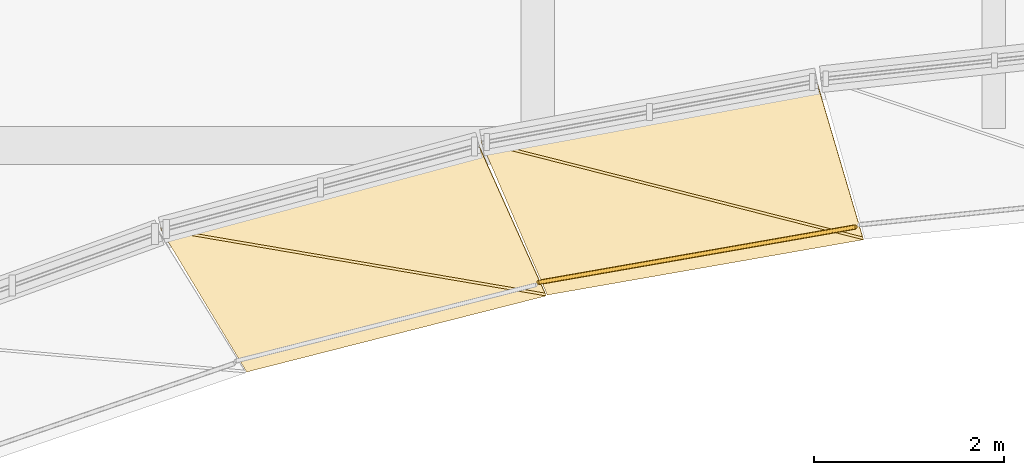
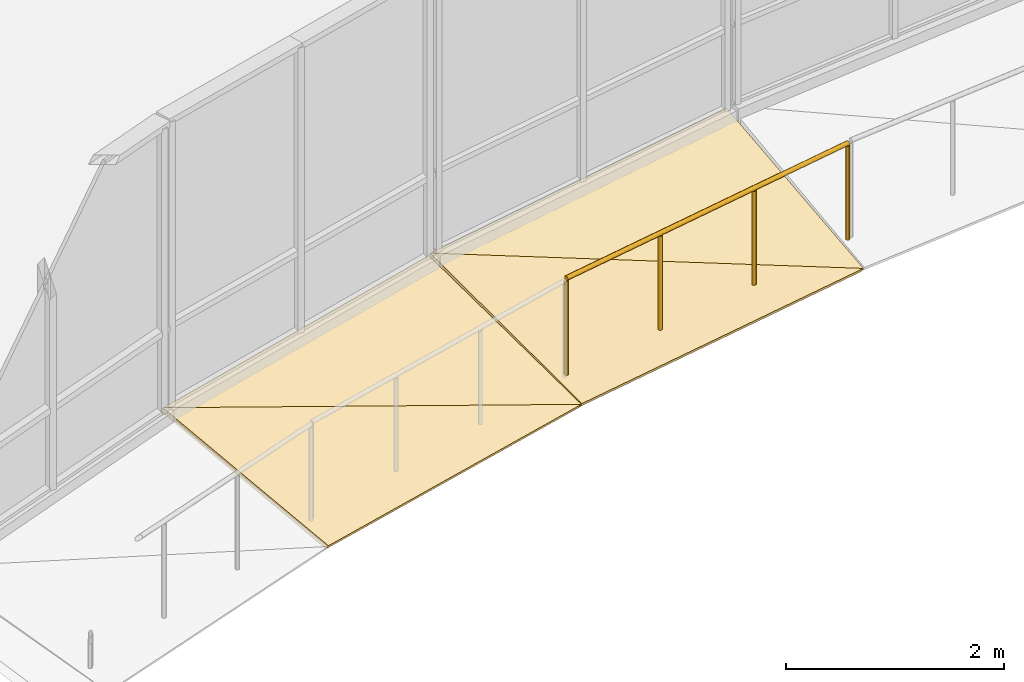
# One storey, part 75 of 84: 4 coverings, 1 railing.
"""IFC4 building model written with IfcOpenShell, lengths in metres."""

import ifcopenshell
import ifcopenshell.guid

model = None  # the IFC model being written
_history = None  # IfcOwnerHistory: only IFC2X3 demands one
_inside = {}  # id of a spatial element -> (the spatial element, [elements in it])
_under = {}  # id of a project, library or spatial element -> (it, [spatial elements below it])
_declared = {}  # id of a project -> (the project, [libraries it declares])
_typed = {}  # id of a type object -> (the type object, [elements of that type])
_made_of = {}  # id of a material, layer set ... -> (it, [elements and type objects made of it])


def new_model(schema):
    """Start an empty IFC model of exactly this schema.

    Asked for "IFC4X3", IfcOpenShell would pick the latest addendum, in which some entities
    have other attributes; the version numbers below select the first issue.
    IFC2X3 requires an IfcOwnerHistory on every rooted entity: one is made here for all.
    """
    global model, _history
    if schema == "IFC4X3":
        model = ifcopenshell.file(schema_version=(4, 3, 0, 0))
    else:
        model = ifcopenshell.file(schema=schema)
    _inside.clear()
    _under.clear()
    _declared.clear()
    _typed.clear()
    _made_of.clear()
    _history = None
    if model.schema == "IFC2X3":
        org = make("IfcOrganization", Name="unknown")
        user = make(
            "IfcPersonAndOrganization",
            ThePerson=make("IfcPerson", FamilyName="unknown"),
            TheOrganization=org,
        )
        app = make(
            "IfcApplication",
            ApplicationDeveloper=org,
            Version="unknown",
            ApplicationFullName="unknown",
            ApplicationIdentifier="unknown",
        )
        _history = make(
            "IfcOwnerHistory",
            OwningUser=user,
            OwningApplication=app,
            ChangeAction="ADDED",
            CreationDate=0,
        )
    return model


def make(cls, **values):
    """One entity of the class cls with the attributes given. An attribute that is None is left unset."""
    return model.create_entity(
        cls, **{name: value for name, value in values.items() if value is not None}
    )


def rooted(cls, **values):
    """An entity with a GlobalId (a new one), such as an element, a storey or a relation."""
    return make(cls, GlobalId=ifcopenshell.guid.new(), OwnerHistory=_history, **values)


def si_unit(unit_type, name, prefix=None):
    """IfcSIUnit, for example si_unit("LENGTHUNIT", "METRE", prefix="MILLI")."""
    return make("IfcSIUnit", UnitType=unit_type, Prefix=prefix, Name=name)


def assignment(units):
    """IfcUnitAssignment: the units of a project."""
    return None if units is None else make("IfcUnitAssignment", Units=units)


def point(xyz):
    """IfcCartesianPoint."""
    return None if xyz is None else make("IfcCartesianPoint", Coordinates=xyz)


def direction(xyz):
    """IfcDirection."""
    return None if xyz is None else make("IfcDirection", DirectionRatios=xyz)


def frame(location, z_axis=None, x_axis=None):
    """IfcAxis2Placement3D, a coordinate frame: its origin and axes. An axis left out is left unset."""
    return make(
        "IfcAxis2Placement3D",
        Location=point(location),
        Axis=direction(z_axis),
        RefDirection=direction(x_axis),
    )


def frame_2d(location, x_axis=None):
    """IfcAxis2Placement2D, a coordinate frame in the plane: its origin and x axis."""
    return make(
        "IfcAxis2Placement2D", Location=point(location), RefDirection=direction(x_axis)
    )


def origin():
    """The frame at (0, 0, 0) with its axes left unset."""
    return frame((0.0, 0.0, 0.0))


def origin_2d():
    """The frame at (0, 0) in the plane with its x axis left unset."""
    return frame_2d((0.0, 0.0))


def place(relative_to, where):
    """IfcLocalPlacement: puts the frame where relative to a parent placement (None: the world)."""
    return make(
        "IfcLocalPlacement", PlacementRelTo=relative_to, RelativePlacement=where
    )


def context(
    kind, dimensions, precision=None, world=None, true_north=None, identifier=None
):
    """IfcGeometricRepresentationContext, for example the 3D "Model" context."""
    return make(
        "IfcGeometricRepresentationContext",
        ContextIdentifier=identifier,
        ContextType=kind,
        CoordinateSpaceDimension=dimensions,
        Precision=precision,
        WorldCoordinateSystem=world,
        TrueNorth=true_north,
    )


def subcontext(parent, identifier, kind, view, scale=None):
    """IfcGeometricRepresentationSubContext, for example "Body" below "Model"."""
    return make(
        "IfcGeometricRepresentationSubContext",
        ContextIdentifier=identifier,
        ContextType=kind,
        ParentContext=parent,
        TargetScale=scale,
        TargetView=view,
    )


def project(units=None, contexts=None):
    """IfcProject with its units and contexts."""
    return rooted(
        "IfcProject",
        Name="project",
        RepresentationContexts=contexts,
        UnitsInContext=assignment(units),
    )


def spatial(cls, under=None, at=None, **own):
    """A site, building, storey or space (cls), placed at a placement, below another one or the project."""
    s = rooted(cls, ObjectPlacement=at, **own)
    if under is not None:
        _under.setdefault(under.id(), (under, []))[1].append(s)
    return s


def polyline(points):
    """IfcPolyline through the points."""
    return make("IfcPolyline", Points=[point(p) for p in points])


def profile(cls, at=None, kind="AREA", **sizes):
    """A parametric profile (cls). Its sizes go by their IFC names, for example OverallWidth=200.0."""
    return make(cls, ProfileType=kind, Position=at, **sizes)


def circle(**sizes):
    """IfcCircleProfileDef."""
    return profile("IfcCircleProfileDef", **sizes)


def outline(outer, holes=None, kind="AREA"):
    """IfcArbitraryClosedProfileDef: a profile drawn as a closed curve; with holes, ...WithVoids."""
    if holes is None:
        return make("IfcArbitraryClosedProfileDef", ProfileType=kind, OuterCurve=outer)
    return make(
        "IfcArbitraryProfileDefWithVoids",
        ProfileType=kind,
        OuterCurve=outer,
        InnerCurves=holes,
    )


def extrude(swept, where, along, depth):
    """IfcExtrudedAreaSolid: the profile swept, set in the frame where, extruded along a direction by depth."""
    return make(
        "IfcExtrudedAreaSolid",
        SweptArea=swept,
        Position=where,
        ExtrudedDirection=direction(along),
        Depth=depth,
    )


def shape(context_of_items, identifier, shape_type, items):
    """IfcShapeRepresentation: the items that make up one representation, for example the "Body"."""
    return make(
        "IfcShapeRepresentation",
        ContextOfItems=context_of_items,
        RepresentationIdentifier=identifier,
        RepresentationType=shape_type,
        Items=items,
    )


def material(Name=None, Category=None):
    """IfcMaterial."""
    return make("IfcMaterial", Name=Name, Category=Category)


def layer(
    of_material, thickness, ventilated=None, Name=None, Category=None, Priority=None
):
    """IfcMaterialLayer: one layer of a wall or slab, of a material (None: an air gap)."""
    return make(
        "IfcMaterialLayer",
        Material=of_material,
        LayerThickness=thickness,
        IsVentilated=ventilated,
        Name=Name,
        Category=Category,
        Priority=Priority,
    )


def layer_set(layers, Name=None):
    """IfcMaterialLayerSet."""
    return make("IfcMaterialLayerSet", MaterialLayers=layers, LayerSetName=Name)


def made_of(thing, what):
    """Note that an element or type object is made of a material, layer set ...; save() writes the relation."""
    if what is not None:
        _made_of.setdefault(what.id(), (what, []))[1].append(thing)
    return thing


def type_object(cls, material=None, **own):
    """A type object (cls), such as IfcWallType, which elements share."""
    return made_of(rooted(cls, **own), material)


def element(
    cls,
    number,
    at=None,
    inside=None,
    cuts=None,
    type_object=None,
    material=None,
    context=None,
    identifier="Body",
    shape_type=None,
    held_by="IfcProductDefinitionShape",
    body=None,
    shapes=None,
    **own,
):
    """One element of the class cls, such as IfcWall. Its Tag is "e" and its number.

    at: its placement. inside: the storey or other place that contains it. cuts: it is an
    opening in that element (IfcRelVoidsElement). A single representation is given by context,
    identifier, shape_type and body (its items); several are given by shapes. held_by: the class
    of the entity that holds the representations. save() writes the other relations.
    """
    e = rooted(cls, Tag="e%d" % number, ObjectPlacement=at, **own)
    if body is not None:
        shapes = [shape(context, identifier, shape_type, body)]
    if shapes is not None:
        e.Representation = make(held_by, Representations=shapes)
    if inside is not None:
        _inside.setdefault(inside.id(), (inside, []))[1].append(e)
    if cuts is not None:
        rooted(
            "IfcRelVoidsElement", RelatingBuildingElement=cuts, RelatedOpeningElement=e
        )
    if type_object is not None:
        _typed.setdefault(type_object.id(), (type_object, []))[1].append(e)
    return made_of(e, material)


def aggregate(whole, parts):
    """IfcRelAggregates: a whole, such as a stair, and the parts it consists of."""
    return rooted("IfcRelAggregates", RelatingObject=whole, RelatedObjects=parts)


def save(model, path):
    """Write the relations noted so far, then the file.

    IfcRelAggregates (storeys below a building ...), IfcRelContainedInSpatialStructure (elements
    in a storey), IfcRelDefinesByType, IfcRelAssociatesMaterial and IfcRelDeclares: one each for
    every whole, place, type object, material and project.
    """
    for whole, parts in _under.values():
        aggregate(whole, parts)
    for where, things in _inside.values():
        rooted(
            "IfcRelContainedInSpatialStructure",
            RelatedElements=things,
            RelatingStructure=where,
        )
    for kind, things in _typed.values():
        rooted("IfcRelDefinesByType", RelatedObjects=things, RelatingType=kind)
    for what, things in _made_of.values():
        rooted("IfcRelAssociatesMaterial", RelatedObjects=things, RelatingMaterial=what)
    for by, libraries in _declared.values():
        rooted("IfcRelDeclares", RelatingContext=by, RelatedDefinitions=libraries)
    model.write(path)


model = new_model("IFC4")

# Units and contexts
model_context = context("Model", 3, precision=1e-05, world=origin(), true_north=direction((0.0, 1.0)))
body_context = subcontext(model_context, "Body", "Model", "MODEL_VIEW")
ifc_project = project(units=[si_unit("LENGTHUNIT", "METRE"), si_unit("AREAUNIT", "SQUARE_METRE"), si_unit("VOLUMEUNIT", "CUBIC_METRE"), si_unit("PLANEANGLEUNIT", "RADIAN"), si_unit("MASSUNIT", "GRAM", prefix="KILO")], contexts=[model_context])

# Site, building, storey
site_placement = place(None, origin())
site = spatial("IfcSite", under=ifc_project, at=site_placement, CompositionType="ELEMENT")
building_placement = place(site_placement, origin())
building = spatial("IfcBuilding", under=site, at=building_placement, Name="Mzevani Central Library", CompositionType="ELEMENT")
storey_placement = place(building_placement, frame((0.0, 0.0, 5.39990234375)))
storey = spatial("IfcBuildingStorey", under=building, at=storey_placement, Name="L01", CompositionType="ELEMENT", Elevation=5.39990234375)

# Coverings
ifc_material_1 = material(Name="Limestone ashlar cladding", Category="masonry")
ifc_layer = layer(ifc_material_1, 0.050048828125, Name="Limestone Ashlar Spandrel Cladding")
ifc_layer_set = layer_set([ifc_layer], Name="Limestone ashlar cladding")
covering_type = type_object("IfcCoveringType", Name="Limestone Ashlar Spandrel Cladding", PredefinedType="CLADDING", material=ifc_layer_set)
covering_1_placement = place(storey_placement, frame((77.01953125, 89.408447265625, -0.27978515625), z_axis=(0.085122578126, -0.4864760707, 0.869537336363), x_axis=(-0.985034157545, -0.172359242483, 0.0)))
element("IfcCovering", 1, at=covering_1_placement, inside=storey, type_object=covering_type, Name="L01 Curved Court Spandrel Apron 15A", PredefinedType="CLADDING", context=body_context, shape_type="SweptSolid", body=[
    extrude(outline(polyline([(0.0, 0.0), (3.36976734469017, -1.1102230246251565e-16), (3.7739522007749016, -1.9437632605156023), (0.0, 0.0)])), origin(), (0.0, 0.0, -1.0), 0.06005859375),
])
covering_2_placement = place(storey_placement, frame((77.01953125, 89.408447265625, -0.27978515625), z_axis=(0.088132347692, -0.478484927614, 0.873661755679), x_axis=(-0.944331757322, 0.238958492794, 0.226133524348)))
element("IfcCovering", 2, at=covering_2_placement, inside=storey, type_object=covering_type, Name="L01 Curved Court Spandrel Apron 15B", PredefinedType="CLADDING", context=body_context, shape_type="SweptSolid", body=[
    extrude(outline(polyline([(0.0, 0.0), (4.245106692023649, -5.551115123125783e-17), (1.0779483786973822, -1.6625341803806795), (0.0, 0.0)])), origin(), (0.0, 0.0, -1.0), 0.06005859375),
])
covering_3_placement = place(storey_placement, frame((73.688720703125, 88.818603515625, -0.27978515625), z_axis=(0.123206760747, -0.484771361105, 0.865919639204), x_axis=(-0.969187718636, -0.246323295783, 0.0)))
element("IfcCovering", 3, at=covering_3_placement, inside=storey, type_object=covering_type, Name="L01 Curved Court Spandrel Apron 16A", PredefinedType="CLADDING", context=body_context, shape_type="SweptSolid", body=[
    extrude(outline(polyline([(0.0, 0.0), (3.2439979462134962, 1.1102230246251565e-16), (3.7468586930958683, -1.919218884702827), (0.0, 0.0)])), origin(), (0.0, 0.0, -1.0), 0.06005859375),
])
covering_4_placement = place(storey_placement, frame((73.688720703125, 88.818603515625, -0.27978515625), z_axis=(0.126622593592, -0.473040934778, 0.871893911446), x_axis=(-0.959850557512, 0.16336771316, 0.228030475025)))
element("IfcCovering", 4, at=covering_4_placement, inside=storey, type_object=covering_type, Name="L01 Curved Court Spandrel Apron 16B", PredefinedType="CLADDING", context=body_context, shape_type="SweptSolid", body=[
    extrude(outline(polyline([(0.0, 0.0), (4.209792298133964, -5.551115123125783e-17), (1.1574733766991354, -1.6060956703231817), (0.0, 0.0)])), origin(), (0.0, 0.0, -1.0), 0.06005859375),
])

# Railing
ifc_material_2 = material(Name="Anodized architectural bronze")
railing_type = type_object("IfcRailingType", Name="Terrace and Court Balustrade 1100", PredefinedType="BALUSTRADE", material=ifc_material_2)
railing_placement = place(storey_placement, frame((76.931640625, 89.5419921875, 0.0)))
element("IfcRailing", 5, at=railing_placement, inside=storey, type_object=railing_type, Name="L01 Elliptical Court Terrace Guard 15", PredefinedType="BALUSTRADE", context=body_context, shape_type="SweptSolid", body=[
    extrude(circle(Radius=0.02392578125, at=origin_2d()), frame((0.0, 0.0, 1.076171875), z_axis=(-0.985036309647, -0.172346942756, 0.0), x_axis=(0.172346942756, -0.985036309647, 0.0)), (0.0, 0.0, 1.0), 3.3701171875),
    extrude(circle(Radius=0.02099609375, at=origin_2d()), origin(), (0.0, 0.0, 1.0), 1.052001953125),
    extrude(circle(Radius=0.02099609375, at=origin_2d()), frame((-1.1064453125, -0.193603515625, 0.0)), (0.0, 0.0, 1.0), 1.052001953125),
    extrude(circle(Radius=0.02099609375, at=origin_2d()), frame((-2.213134765625, -0.38720703125, 0.0)), (0.0, 0.0, 1.0), 1.052001953125),
    extrude(circle(Radius=0.02099609375, at=origin_2d()), frame((-3.319580078125, -0.580810546875, 0.0)), (0.0, 0.0, 1.0), 1.052001953125),
])

save(model, "model.ifc")
